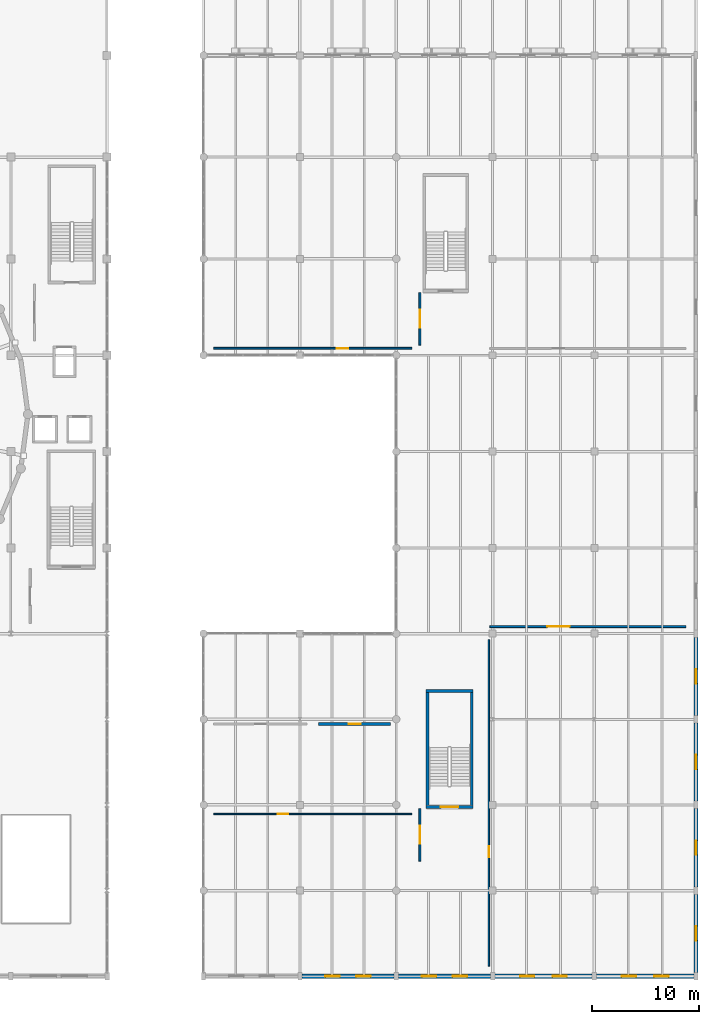
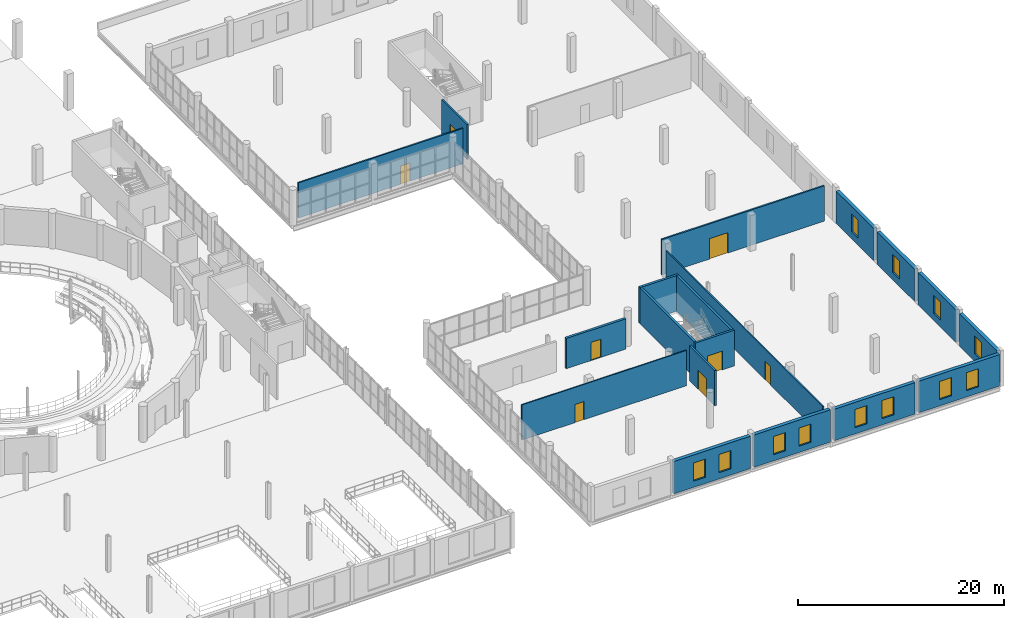
# One storey, part 68 of 85: 19 walls, 12 windows, 8 doors, 20 openings.
"""IFC4 building model written with IfcOpenShell, lengths in metres."""

from ifc_helpers import new_model, si_unit, direction, frame, frame_2d, origin, place, context, subcontext, project, spatial, rectangle, extrude, material, layer, layer_set, type_object, element, fill, save


model = new_model("IFC4")

# Units and contexts
model_context = context("Model", 3, precision=1e-05, world=origin(), true_north=direction((0.0, 1.0)))
body_context = subcontext(model_context, "Body", "Model", "MODEL_VIEW")
ifc_project = project(units=[si_unit("LENGTHUNIT", "METRE"), si_unit("AREAUNIT", "SQUARE_METRE"), si_unit("VOLUMEUNIT", "CUBIC_METRE"), si_unit("PLANEANGLEUNIT", "RADIAN"), si_unit("MASSUNIT", "GRAM", prefix="KILO")], contexts=[model_context])

# Site, building, storey
site_placement = place(None, origin())
site = spatial("IfcSite", under=ifc_project, at=site_placement, CompositionType="ELEMENT")
building_placement = place(site_placement, origin())
building = spatial("IfcBuilding", under=site, at=building_placement, Name="Marnock Terrace Opera House", CompositionType="ELEMENT")
storey_placement = place(building_placement, frame((0.0, 0.0, 10.199951171875)))
storey = spatial("IfcBuildingStorey", under=building, at=storey_placement, Name="L02", CompositionType="ELEMENT", Elevation=10.199951171875)

# Wall, openings, windows
ifc_material_1 = material(Name="Basket Range sandstone ashlar masonry", Category="masonry")
ifc_layer_1 = layer(ifc_material_1, 0.389892578125)
ifc_layer_set_1 = layer_set([ifc_layer_1], Name="Basket Range sandstone ashlar masonry")
wall_type_1 = type_object("IfcWallType", Name="EW-ASHLAR-390", PredefinedType="SOLIDWALL", material=ifc_layer_set_1)
wall_1_placement = place(storey_placement, frame((127.196044921875, 8.0, 0.0), z_axis=(0.0, 0.0, 1.0), x_axis=(1.0, 0.0, 0.0)))
wall_1 = element("IfcWall", 1, at=wall_1_placement, inside=storey, type_object=wall_type_1, Name="L02 Volume 5 south sandstone facade 2", PredefinedType="SOLIDWALL", context=body_context, shape_type="SweptSolid", body=[
    extrude(rectangle(XDim=8.60791015625, YDim=0.389892578125, at=frame_2d((4.303955078125, 0.0))), origin(), (0.0, 0.0, 1.0), 3.8515625),
])
opening_1_placement = place(wall_1_placement, frame((2.1943359375, 0.0, 0.75)))
opening_1 = element("IfcOpeningElement", 2, at=opening_1_placement, cuts=wall_1, Name="Opening WT-102", PredefinedType="OPENING", context=body_context, shape_type="SweptSolid", body=[
    extrude(rectangle(XDim=1.35009765625, YDim=2.14990234375, at=frame_2d((0.675048828125, 1.074951171875))), frame((0.0, 0.204833984375, 0.0), z_axis=(0.0, -1.0, 0.0), x_axis=(1.0, 0.0, 0.0)), (0.0, 0.0, 1.0), 0.409912109375),
])
opening_2_placement = place(wall_1_placement, frame((5.063720703125, 0.0, 0.75)))
opening_2 = element("IfcOpeningElement", 3, at=opening_2_placement, cuts=wall_1, Name="Opening WT-102", PredefinedType="OPENING", context=body_context, shape_type="SweptSolid", body=[
    extrude(rectangle(XDim=1.35009765625, YDim=2.14990234375, at=frame_2d((0.675048828125, 1.074951171875))), frame((0.0, 0.204833984375, 0.0), z_axis=(0.0, -1.0, 0.0), x_axis=(1.0, 0.0, 0.0)), (0.0, 0.0, 1.0), 0.409912109375),
])
ifc_material_2 = material(Name="Double-glazed acoustic low-E laminated glass", Category="glass")
window_type = type_object("IfcWindowType", Name="WT-SUITE-1350", PartitioningType="SINGLE_PANEL", PredefinedType="WINDOW", material=ifc_material_2)
window_1_placement = place(opening_1_placement, origin())
window_1 = element("IfcWindow", 4, at=window_1_placement, inside=storey, type_object=window_type, Name="L02 facade window EW-V5S-L02-2.1", OverallHeight=2.14990234375, OverallWidth=1.35009765625, PartitioningType="SINGLE_PANEL", PredefinedType="WINDOW", context=body_context, shape_type="SweptSolid", body=[
    extrude(rectangle(XDim=1.35009765625, YDim=2.14990234375, at=frame_2d((0.675048828125, 1.074951171875))), frame((0.0, 0.030029296875, 0.0), z_axis=(0.0, -1.0, 0.0), x_axis=(1.0, 0.0, 0.0)), (0.0, 0.0, 1.0), 0.06005859375),
])
fill(opening_1, window_1)
window_2_placement = place(opening_2_placement, origin())
window_2 = element("IfcWindow", 5, at=window_2_placement, inside=storey, type_object=window_type, Name="L02 facade window EW-V5S-L02-2.2", OverallHeight=2.14990234375, OverallWidth=1.35009765625, PartitioningType="SINGLE_PANEL", PredefinedType="WINDOW", context=body_context, shape_type="SweptSolid", body=[
    extrude(rectangle(XDim=1.35009765625, YDim=2.14990234375, at=frame_2d((0.675048828125, 1.074951171875))), frame((0.0, 0.030029296875, 0.0), z_axis=(0.0, -1.0, 0.0), x_axis=(1.0, 0.0, 0.0)), (0.0, 0.0, 1.0), 0.06005859375),
])
fill(opening_2, window_2)

wall_2_placement = place(storey_placement, frame((136.196044921875, 8.0, 0.0), z_axis=(0.0, 0.0, 1.0), x_axis=(1.0, 0.0, 0.0)))
wall_2 = element("IfcWall", 6, at=wall_2_placement, inside=storey, type_object=wall_type_1, Name="L02 Volume 5 south sandstone facade 3", PredefinedType="SOLIDWALL", context=body_context, shape_type="SweptSolid", body=[
    extrude(rectangle(XDim=8.60791015625, YDim=0.389892578125, at=frame_2d((4.303955078125, 0.0))), origin(), (0.0, 0.0, 1.0), 3.8515625),
])
opening_3_placement = place(wall_2_placement, frame((2.1943359375, 0.0, 0.75)))
opening_3 = element("IfcOpeningElement", 7, at=opening_3_placement, cuts=wall_2, Name="Opening WT-102", PredefinedType="OPENING", context=body_context, shape_type="SweptSolid", body=[
    extrude(rectangle(XDim=1.35009765625, YDim=2.14990234375, at=frame_2d((0.675048828125, 1.074951171875))), frame((0.0, 0.204833984375, 0.0), z_axis=(0.0, -1.0, 0.0), x_axis=(1.0, 0.0, 0.0)), (0.0, 0.0, 1.0), 0.409912109375),
])
opening_4_placement = place(wall_2_placement, frame((5.063720703125, 0.0, 0.75)))
opening_4 = element("IfcOpeningElement", 8, at=opening_4_placement, cuts=wall_2, Name="Opening WT-102", PredefinedType="OPENING", context=body_context, shape_type="SweptSolid", body=[
    extrude(rectangle(XDim=1.35009765625, YDim=2.14990234375, at=frame_2d((0.675048828125, 1.074951171875))), frame((0.0, 0.204833984375, 0.0), z_axis=(0.0, -1.0, 0.0), x_axis=(1.0, 0.0, 0.0)), (0.0, 0.0, 1.0), 0.409912109375),
])
window_3_placement = place(opening_3_placement, origin())
window_3 = element("IfcWindow", 9, at=window_3_placement, inside=storey, type_object=window_type, Name="L02 facade window EW-V5S-L02-3.1", OverallHeight=2.14990234375, OverallWidth=1.35009765625, PartitioningType="SINGLE_PANEL", PredefinedType="WINDOW", context=body_context, shape_type="SweptSolid", body=[
    extrude(rectangle(XDim=1.35009765625, YDim=2.14990234375, at=frame_2d((0.675048828125, 1.074951171875))), frame((0.0, 0.030029296875, 0.0), z_axis=(0.0, -1.0, 0.0), x_axis=(1.0, 0.0, 0.0)), (0.0, 0.0, 1.0), 0.06005859375),
])
fill(opening_3, window_3)
window_4_placement = place(opening_4_placement, origin())
window_4 = element("IfcWindow", 10, at=window_4_placement, inside=storey, type_object=window_type, Name="L02 facade window EW-V5S-L02-3.2", OverallHeight=2.14990234375, OverallWidth=1.35009765625, PartitioningType="SINGLE_PANEL", PredefinedType="WINDOW", context=body_context, shape_type="SweptSolid", body=[
    extrude(rectangle(XDim=1.35009765625, YDim=2.14990234375, at=frame_2d((0.675048828125, 1.074951171875))), frame((0.0, 0.030029296875, 0.0), z_axis=(0.0, -1.0, 0.0), x_axis=(1.0, 0.0, 0.0)), (0.0, 0.0, 1.0), 0.06005859375),
])
fill(opening_4, window_4)

wall_3_placement = place(storey_placement, frame((145.196044921875, 8.0, 0.0), z_axis=(0.0, 0.0, 1.0), x_axis=(1.0, 0.0, 0.0)))
wall_3 = element("IfcWall", 11, at=wall_3_placement, inside=storey, type_object=wall_type_1, Name="L02 Volume 5 south sandstone facade 4", PredefinedType="SOLIDWALL", context=body_context, shape_type="SweptSolid", body=[
    extrude(rectangle(XDim=9.10791015625, YDim=0.389892578125, at=frame_2d((4.553955078125, 0.0))), origin(), (0.0, 0.0, 1.0), 3.749755859375),
])
opening_5_placement = place(wall_3_placement, frame((2.361083984375, 0.0, 0.75)))
opening_5 = element("IfcOpeningElement", 12, at=opening_5_placement, cuts=wall_3, Name="Opening WT-102", PredefinedType="OPENING", context=body_context, shape_type="SweptSolid", body=[
    extrude(rectangle(XDim=1.35009765625, YDim=2.14990234375, at=frame_2d((0.675048828125, 1.074951171875))), frame((0.0, 0.204833984375, 0.0), z_axis=(0.0, -1.0, 0.0), x_axis=(1.0, 0.0, 0.0)), (0.0, 0.0, 1.0), 0.409912109375),
])
opening_6_placement = place(wall_3_placement, frame((5.39697265625, 0.0, 0.75)))
opening_6 = element("IfcOpeningElement", 13, at=opening_6_placement, cuts=wall_3, Name="Opening WT-102", PredefinedType="OPENING", context=body_context, shape_type="SweptSolid", body=[
    extrude(rectangle(XDim=1.35009765625, YDim=2.14990234375, at=frame_2d((0.675048828125, 1.074951171875))), frame((0.0, 0.204833984375, 0.0), z_axis=(0.0, -1.0, 0.0), x_axis=(1.0, 0.0, 0.0)), (0.0, 0.0, 1.0), 0.409912109375),
])
window_5_placement = place(opening_5_placement, origin())
window_5 = element("IfcWindow", 14, at=window_5_placement, inside=storey, type_object=window_type, Name="L02 facade window EW-V5S-L02-4.1", OverallHeight=2.14990234375, OverallWidth=1.35009765625, PartitioningType="SINGLE_PANEL", PredefinedType="WINDOW", context=body_context, shape_type="SweptSolid", body=[
    extrude(rectangle(XDim=1.35009765625, YDim=2.14990234375, at=frame_2d((0.675048828125, 1.074951171875))), frame((0.0, 0.030029296875, 0.0), z_axis=(0.0, -1.0, 0.0), x_axis=(1.0, 0.0, 0.0)), (0.0, 0.0, 1.0), 0.06005859375),
])
fill(opening_5, window_5)
window_6_placement = place(opening_6_placement, origin())
window_6 = element("IfcWindow", 15, at=window_6_placement, inside=storey, type_object=window_type, Name="L02 facade window EW-V5S-L02-4.2", OverallHeight=2.14990234375, OverallWidth=1.35009765625, PartitioningType="SINGLE_PANEL", PredefinedType="WINDOW", context=body_context, shape_type="SweptSolid", body=[
    extrude(rectangle(XDim=1.35009765625, YDim=2.14990234375, at=frame_2d((0.675048828125, 1.074951171875))), frame((0.0, 0.030029296875, 0.0), z_axis=(0.0, -1.0, 0.0), x_axis=(1.0, 0.0, 0.0)), (0.0, 0.0, 1.0), 0.06005859375),
])
fill(opening_6, window_6)

wall_4_placement = place(storey_placement, frame((154.696044921875, 8.0, 0.0), z_axis=(0.0, 0.0, 1.0), x_axis=(1.0, 0.0, 0.0)))
wall_4 = element("IfcWall", 16, at=wall_4_placement, inside=storey, type_object=wall_type_1, Name="L02 Volume 5 south sandstone facade 5", PredefinedType="SOLIDWALL", context=body_context, shape_type="SweptSolid", body=[
    extrude(rectangle(XDim=9.10791015625, YDim=0.389892578125, at=frame_2d((4.553955078125, 0.0))), origin(), (0.0, 0.0, 1.0), 3.749755859375),
])
opening_7_placement = place(wall_4_placement, frame((2.361083984375, 0.0, 0.75)))
opening_7 = element("IfcOpeningElement", 17, at=opening_7_placement, cuts=wall_4, Name="Opening WT-102", PredefinedType="OPENING", context=body_context, shape_type="SweptSolid", body=[
    extrude(rectangle(XDim=1.35009765625, YDim=2.14990234375, at=frame_2d((0.675048828125, 1.074951171875))), frame((0.0, 0.204833984375, 0.0), z_axis=(0.0, -1.0, 0.0), x_axis=(1.0, 0.0, 0.0)), (0.0, 0.0, 1.0), 0.409912109375),
])
opening_8_placement = place(wall_4_placement, frame((5.39697265625, 0.0, 0.75)))
opening_8 = element("IfcOpeningElement", 18, at=opening_8_placement, cuts=wall_4, Name="Opening WT-102", PredefinedType="OPENING", context=body_context, shape_type="SweptSolid", body=[
    extrude(rectangle(XDim=1.35009765625, YDim=2.14990234375, at=frame_2d((0.675048828125, 1.074951171875))), frame((0.0, 0.204833984375, 0.0), z_axis=(0.0, -1.0, 0.0), x_axis=(1.0, 0.0, 0.0)), (0.0, 0.0, 1.0), 0.409912109375),
])
window_7_placement = place(opening_7_placement, origin())
window_7 = element("IfcWindow", 19, at=window_7_placement, inside=storey, type_object=window_type, Name="L02 facade window EW-V5S-L02-5.1", OverallHeight=2.14990234375, OverallWidth=1.35009765625, PartitioningType="SINGLE_PANEL", PredefinedType="WINDOW", context=body_context, shape_type="SweptSolid", body=[
    extrude(rectangle(XDim=1.35009765625, YDim=2.14990234375, at=frame_2d((0.675048828125, 1.074951171875))), frame((0.0, 0.030029296875, 0.0), z_axis=(0.0, -1.0, 0.0), x_axis=(1.0, 0.0, 0.0)), (0.0, 0.0, 1.0), 0.06005859375),
])
fill(opening_7, window_7)
window_8_placement = place(opening_8_placement, origin())
window_8 = element("IfcWindow", 20, at=window_8_placement, inside=storey, type_object=window_type, Name="L02 facade window EW-V5S-L02-5.2", OverallHeight=2.14990234375, OverallWidth=1.35009765625, PartitioningType="SINGLE_PANEL", PredefinedType="WINDOW", context=body_context, shape_type="SweptSolid", body=[
    extrude(rectangle(XDim=1.35009765625, YDim=2.14990234375, at=frame_2d((0.675048828125, 1.074951171875))), frame((0.0, 0.030029296875, 0.0), z_axis=(0.0, -1.0, 0.0), x_axis=(1.0, 0.0, 0.0)), (0.0, 0.0, 1.0), 0.06005859375),
])
fill(opening_8, window_8)

# Wall, opening, window
wall_5_placement = place(storey_placement, frame((164.0, 8.345947265625, 0.0), z_axis=(0.0, 0.0, 1.0), x_axis=(0.0, 1.0, 0.0)))
wall_5 = element("IfcWall", 21, at=wall_5_placement, inside=storey, type_object=wall_type_1, Name="L02 Volume 5 east sandstone facade 1", PredefinedType="SOLIDWALL", context=body_context, shape_type="SweptSolid", body=[
    extrude(rectangle(XDim=7.30810546875, YDim=0.389892578125, at=frame_2d((3.654052734375, 0.0))), origin(), (0.0, 0.0, 1.0), 3.8515625),
])
opening_9_placement = place(wall_5_placement, frame((2.97900390625, 0.0, 0.85009765625)))
opening_9 = element("IfcOpeningElement", 22, at=opening_9_placement, cuts=wall_5, Name="Opening WT-102", PredefinedType="OPENING", context=body_context, shape_type="SweptSolid", body=[
    extrude(rectangle(XDim=1.35009765625, YDim=2.14990234375, at=frame_2d((0.675048828125, 1.074951171875))), frame((0.0, 0.204833984375, 0.0), z_axis=(0.0, -1.0, 0.0), x_axis=(1.0, 0.0, 0.0)), (0.0, 0.0, 1.0), 0.409912109375),
])
window_9_placement = place(opening_9_placement, origin())
window_9 = element("IfcWindow", 23, at=window_9_placement, inside=storey, type_object=window_type, Name="L02 facade window EW-V5E-L02-01.1", OverallHeight=2.14990234375, OverallWidth=1.35009765625, PartitioningType="SINGLE_PANEL", PredefinedType="WINDOW", context=body_context, shape_type="SweptSolid", body=[
    extrude(rectangle(XDim=1.35009765625, YDim=2.14990234375, at=frame_2d((0.675048828125, 1.074951171875))), frame((0.0, 0.030029296875, 0.0), z_axis=(0.0, -1.0, 0.0), x_axis=(1.0, 0.0, 0.0)), (0.0, 0.0, 1.0), 0.06005859375),
])
fill(opening_9, window_9)

wall_6_placement = place(storey_placement, frame((164.0, 16.345947265625, 0.0), z_axis=(0.0, 0.0, 1.0), x_axis=(0.0, 1.0, 0.0)))
wall_6 = element("IfcWall", 24, at=wall_6_placement, inside=storey, type_object=wall_type_1, Name="L02 Volume 5 east sandstone facade 2", PredefinedType="SOLIDWALL", context=body_context, shape_type="SweptSolid", body=[
    extrude(rectangle(XDim=7.30810546875, YDim=0.389892578125, at=frame_2d((3.654052734375, 0.0))), origin(), (0.0, 0.0, 1.0), 3.8515625),
])
opening_10_placement = place(wall_6_placement, frame((2.97900390625, 0.0, 0.85009765625)))
opening_10 = element("IfcOpeningElement", 25, at=opening_10_placement, cuts=wall_6, Name="Opening WT-102", PredefinedType="OPENING", context=body_context, shape_type="SweptSolid", body=[
    extrude(rectangle(XDim=1.35009765625, YDim=2.14990234375, at=frame_2d((0.675048828125, 1.074951171875))), frame((0.0, 0.204833984375, 0.0), z_axis=(0.0, -1.0, 0.0), x_axis=(1.0, 0.0, 0.0)), (0.0, 0.0, 1.0), 0.409912109375),
])
window_10_placement = place(opening_10_placement, origin())
window_10 = element("IfcWindow", 26, at=window_10_placement, inside=storey, type_object=window_type, Name="L02 facade window EW-V5E-L02-02.1", OverallHeight=2.14990234375, OverallWidth=1.35009765625, PartitioningType="SINGLE_PANEL", PredefinedType="WINDOW", context=body_context, shape_type="SweptSolid", body=[
    extrude(rectangle(XDim=1.35009765625, YDim=2.14990234375, at=frame_2d((0.675048828125, 1.074951171875))), frame((0.0, 0.030029296875, 0.0), z_axis=(0.0, -1.0, 0.0), x_axis=(1.0, 0.0, 0.0)), (0.0, 0.0, 1.0), 0.06005859375),
])
fill(opening_10, window_10)

wall_7_placement = place(storey_placement, frame((164.0, 24.345947265625, 0.0), z_axis=(0.0, 0.0, 1.0), x_axis=(0.0, 1.0, 0.0)))
wall_7 = element("IfcWall", 27, at=wall_7_placement, inside=storey, type_object=wall_type_1, Name="L02 Volume 5 east sandstone facade 3", PredefinedType="SOLIDWALL", context=body_context, shape_type="SweptSolid", body=[
    extrude(rectangle(XDim=7.30810546875, YDim=0.389892578125, at=frame_2d((3.654052734375, 0.0))), origin(), (0.0, 0.0, 1.0), 3.8515625),
])
opening_11_placement = place(wall_7_placement, frame((2.97900390625, 0.0, 0.85009765625)))
opening_11 = element("IfcOpeningElement", 28, at=opening_11_placement, cuts=wall_7, Name="Opening WT-102", PredefinedType="OPENING", context=body_context, shape_type="SweptSolid", body=[
    extrude(rectangle(XDim=1.35009765625, YDim=2.14990234375, at=frame_2d((0.675048828125, 1.074951171875))), frame((0.0, 0.204833984375, 0.0), z_axis=(0.0, -1.0, 0.0), x_axis=(1.0, 0.0, 0.0)), (0.0, 0.0, 1.0), 0.409912109375),
])
window_11_placement = place(opening_11_placement, origin())
window_11 = element("IfcWindow", 29, at=window_11_placement, inside=storey, type_object=window_type, Name="L02 facade window EW-V5E-L02-03.1", OverallHeight=2.14990234375, OverallWidth=1.35009765625, PartitioningType="SINGLE_PANEL", PredefinedType="WINDOW", context=body_context, shape_type="SweptSolid", body=[
    extrude(rectangle(XDim=1.35009765625, YDim=2.14990234375, at=frame_2d((0.675048828125, 1.074951171875))), frame((0.0, 0.030029296875, 0.0), z_axis=(0.0, -1.0, 0.0), x_axis=(1.0, 0.0, 0.0)), (0.0, 0.0, 1.0), 0.06005859375),
])
fill(opening_11, window_11)

wall_8_placement = place(storey_placement, frame((164.0, 32.345947265625, 0.0), z_axis=(0.0, 0.0, 1.0), x_axis=(0.0, 1.0, 0.0)))
wall_8 = element("IfcWall", 30, at=wall_8_placement, inside=storey, type_object=wall_type_1, Name="L02 Volume 5 east sandstone facade 4", PredefinedType="SOLIDWALL", context=body_context, shape_type="SweptSolid", body=[
    extrude(rectangle(XDim=7.30810546875, YDim=0.389892578125, at=frame_2d((3.654052734375, 0.0))), origin(), (0.0, 0.0, 1.0), 3.8515625),
])
opening_12_placement = place(wall_8_placement, frame((2.97900390625, 0.0, 0.85009765625)))
opening_12 = element("IfcOpeningElement", 31, at=opening_12_placement, cuts=wall_8, Name="Opening WT-102", PredefinedType="OPENING", context=body_context, shape_type="SweptSolid", body=[
    extrude(rectangle(XDim=1.35009765625, YDim=2.14990234375, at=frame_2d((0.675048828125, 1.074951171875))), frame((0.0, 0.204833984375, 0.0), z_axis=(0.0, -1.0, 0.0), x_axis=(1.0, 0.0, 0.0)), (0.0, 0.0, 1.0), 0.409912109375),
])
window_12_placement = place(opening_12_placement, origin())
window_12 = element("IfcWindow", 32, at=window_12_placement, inside=storey, type_object=window_type, Name="L02 facade window EW-V5E-L02-04.1", OverallHeight=2.14990234375, OverallWidth=1.35009765625, PartitioningType="SINGLE_PANEL", PredefinedType="WINDOW", context=body_context, shape_type="SweptSolid", body=[
    extrude(rectangle(XDim=1.35009765625, YDim=2.14990234375, at=frame_2d((0.675048828125, 1.074951171875))), frame((0.0, 0.030029296875, 0.0), z_axis=(0.0, -1.0, 0.0), x_axis=(1.0, 0.0, 0.0)), (0.0, 0.0, 1.0), 0.06005859375),
])
fill(opening_12, window_12)

# Wall, opening, door
ifc_material_3 = material(Name="Rendered acoustic concrete blockwork", Category="masonry")
ifc_layer_2 = layer(ifc_material_3, 0.175048828125)
ifc_layer_set_2 = layer_set([ifc_layer_2], Name="Rendered acoustic concrete blockwork")
wall_type_2 = type_object("IfcWallType", Name="IW-FIRE-175", PredefinedType="PARTITIONING", material=ifc_layer_set_2)
wall_9_placement = place(storey_placement, frame((144.75, 40.64990234375, 0.0), z_axis=(0.0, 0.0, 1.0), x_axis=(1.0, 0.0, 0.0)))
wall_9 = element("IfcWall", 33, at=wall_9_placement, inside=storey, type_object=wall_type_2, Name="L02 Ballet Rehearsal Studio acoustic partition wall", PredefinedType="PARTITIONING", context=body_context, shape_type="SweptSolid", body=[
    extrude(rectangle(XDim=18.300048828125, YDim=0.175048828125, at=frame_2d((9.14990234375, 0.0))), origin(), (0.0, 0.0, 1.0), 4.18994140625),
])
opening_13_placement = place(wall_9_placement, frame((5.35498046875, 0.0, 0.0)))
opening_13 = element("IfcOpeningElement", 34, at=opening_13_placement, cuts=wall_9, Name="Opening D-L02-19", PredefinedType="OPENING", context=body_context, shape_type="SweptSolid", body=[
    extrude(rectangle(XDim=2.10009765625, YDim=2.419921875, at=frame_2d((1.050048828125, 1.2099609375))), frame((0.0, 0.097412109375, 0.0), z_axis=(0.0, -1.0, 0.0), x_axis=(1.0, 0.0, 0.0)), (0.0, 0.0, 1.0), 0.195068359375),
])
ifc_material_4 = material(Name="Solid-core Tasmanian oak acoustic door leaf")
door_type_1 = type_object("IfcDoorType", Name="DT-REHEARS-2100", OperationType="NOTDEFINED", PredefinedType="DOOR", material=ifc_material_4)
door_1_placement = place(opening_13_placement, origin())
door_1 = element("IfcDoor", 35, at=door_1_placement, inside=storey, type_object=door_type_1, Name="L02 Ballet Rehearsal Studio entrance door", OperationType="DOUBLE_DOOR_SINGLE_SWING", OverallHeight=2.419921875, OverallWidth=2.10009765625, PredefinedType="DOOR", context=body_context, shape_type="SweptSolid", body=[
    extrude(rectangle(XDim=2.10009765625, YDim=2.419921875, at=frame_2d((1.050048828125, 1.2099609375))), frame((0.0, 0.02490234375, 0.0), z_axis=(0.0, -1.0, 0.0), x_axis=(1.0, 0.0, 0.0)), (0.0, 0.0, 1.0), 0.050048828125),
])
fill(opening_13, door_1)

ifc_layer_3 = layer(ifc_material_3, 0.18505859375)
ifc_layer_set_3 = layer_set([ifc_layer_3], Name="Rendered acoustic concrete blockwork")
wall_type_3 = type_object("IfcWallType", Name="IW-FIRE-185", PredefinedType="PARTITIONING", material=ifc_layer_set_3)
wall_10_placement = place(storey_placement, frame((138.199951171875, 18.75, 0.0), z_axis=(0.0, 0.0, 1.0), x_axis=(0.0, 1.0, 0.0)))
wall_10 = element("IfcWall", 36, at=wall_10_placement, inside=storey, type_object=wall_type_3, Name="L02 C6 fire-rated lift and stair lobby wall", PredefinedType="PARTITIONING", context=body_context, shape_type="SweptSolid", body=[
    extrude(rectangle(XDim=4.89990234375, YDim=0.18505859375, at=frame_2d((2.449951171875, 0.0))), origin(), (0.0, 0.0, 1.0), 4.18994140625),
])
opening_14_placement = place(wall_10_placement, frame((1.610107421875, 0.0, 0.0)))
opening_14 = element("IfcOpeningElement", 37, at=opening_14_placement, cuts=wall_10, Name="Opening FD-C6-L02", PredefinedType="OPENING", context=body_context, shape_type="SweptSolid", body=[
    extrude(rectangle(XDim=1.679931640625, YDim=2.25, at=frame_2d((0.83984375, 1.125))), frame((0.0, 0.1025390625, 0.0), z_axis=(0.0, -1.0, 0.0), x_axis=(1.0, 0.0, 0.0)), (0.0, 0.0, 1.0), 0.205078125),
])
ifc_material_5 = material(Name="Fire-rated acoustic timber-core door assembly", Category="wood")
door_type_2 = type_object("IfcDoorType", Name="DT-LOBBY-1680", OperationType="NOTDEFINED", PredefinedType="DOOR", material=ifc_material_5)
door_2_placement = place(opening_14_placement, origin())
door_2 = element("IfcDoor", 38, at=door_2_placement, inside=storey, type_object=door_type_2, Name="L02 C6 lobby self-closing smoke door", OperationType="SINGLE_SWING_RIGHT", OverallHeight=2.25, OverallWidth=1.679931640625, PredefinedType="DOOR", context=body_context, shape_type="SweptSolid", body=[
    extrude(rectangle(XDim=1.679931640625, YDim=2.25, at=frame_2d((0.83984375, 1.125))), frame((0.0, 0.02490234375, 0.0), z_axis=(0.0, -1.0, 0.0), x_axis=(1.0, 0.0, 0.0)), (0.0, 0.0, 1.0), 0.050048828125),
])
fill(opening_14, door_2)

wall_11_placement = place(storey_placement, frame((138.199951171875, 66.949951171875, 0.0), z_axis=(0.0, 0.0, 1.0), x_axis=(0.0, 1.0, 0.0)))
wall_11 = element("IfcWall", 39, at=wall_11_placement, inside=storey, type_object=wall_type_3, Name="L02 C8 fire-rated lift and stair lobby wall", PredefinedType="PARTITIONING", context=body_context, shape_type="SweptSolid", body=[
    extrude(rectangle(XDim=4.900146484375, YDim=0.18505859375, at=frame_2d((2.4501953125, 0.0))), origin(), (0.0, 0.0, 1.0), 4.18994140625),
])
opening_15_placement = place(wall_11_placement, frame((1.610107421875, 0.0, 0.0)))
opening_15 = element("IfcOpeningElement", 40, at=opening_15_placement, cuts=wall_11, Name="Opening FD-C8-L02", PredefinedType="OPENING", context=body_context, shape_type="SweptSolid", body=[
    extrude(rectangle(XDim=1.679931640625, YDim=2.25, at=frame_2d((0.83984375, 1.125))), frame((0.0, 0.1025390625, 0.0), z_axis=(0.0, -1.0, 0.0), x_axis=(1.0, 0.0, 0.0)), (0.0, 0.0, 1.0), 0.205078125),
])
door_3_placement = place(opening_15_placement, origin())
door_3 = element("IfcDoor", 41, at=door_3_placement, inside=storey, type_object=door_type_2, Name="L02 C8 lobby self-closing smoke door", OperationType="SINGLE_SWING_RIGHT", OverallHeight=2.25, OverallWidth=1.679931640625, PredefinedType="DOOR", context=body_context, shape_type="SweptSolid", body=[
    extrude(rectangle(XDim=1.679931640625, YDim=2.25, at=frame_2d((0.83984375, 1.125))), frame((0.0, 0.02490234375, 0.0), z_axis=(0.0, -1.0, 0.0), x_axis=(1.0, 0.0, 0.0)), (0.0, 0.0, 1.0), 0.050048828125),
])
fill(opening_15, door_3)

ifc_material_6 = material(Name="Double-stud acoustic plasterboard with mineral-wool infill")
ifc_layer_4 = layer(ifc_material_6, 0.1279296875)
ifc_layer_set_4 = layer_set([ifc_layer_4], Name="Double-stud acoustic plasterboard with mineral-wool infill")
wall_type_4 = type_object("IfcWallType", Name="IW-PART-128", PredefinedType="PARTITIONING", material=ifc_layer_set_4)
wall_12_placement = place(storey_placement, frame((118.949951171875, 23.14990234375, 0.0), z_axis=(0.0, 0.0, 1.0), x_axis=(1.0, 0.0, 0.0)))
wall_12 = element("IfcWall", 42, at=wall_12_placement, inside=storey, type_object=wall_type_4, Name="L02 Orchestral and Music Library acoustic partition wall", PredefinedType="PARTITIONING", context=body_context, shape_type="SweptSolid", body=[
    extrude(rectangle(XDim=18.5, YDim=0.1279296875, at=frame_2d((9.25, 0.0))), origin(), (0.0, 0.0, 1.0), 4.18994140625),
])
opening_16_placement = place(wall_12_placement, frame((5.97509765625, 0.0, 0.0)))
opening_16 = element("IfcOpeningElement", 43, at=opening_16_placement, cuts=wall_12, Name="Opening D-L02-18", PredefinedType="OPENING", context=body_context, shape_type="SweptSolid", body=[
    extrude(rectangle(XDim=1.0, YDim=2.14990234375, at=frame_2d((0.5, 1.074951171875))), frame((0.0, 0.073974609375, 0.0), z_axis=(0.0, -1.0, 0.0), x_axis=(1.0, 0.0, 0.0)), (0.0, 0.0, 1.0), 0.14794921875),
])
door_type_3 = type_object("IfcDoorType", Name="DT-ROOM-1000", OperationType="NOTDEFINED", PredefinedType="DOOR", material=ifc_material_4)
door_4_placement = place(opening_16_placement, origin())
door_4 = element("IfcDoor", 44, at=door_4_placement, inside=storey, type_object=door_type_3, Name="L02 Orchestral and Music Library entrance door", OperationType="SINGLE_SWING_RIGHT", OverallHeight=2.14990234375, OverallWidth=1.0, PredefinedType="DOOR", context=body_context, shape_type="SweptSolid", body=[
    extrude(rectangle(XDim=1.0, YDim=2.14990234375, at=frame_2d((0.5, 1.074951171875))), frame((0.0, 0.02490234375, 0.0), z_axis=(0.0, -1.0, 0.0), x_axis=(1.0, 0.0, 0.0)), (0.0, 0.0, 1.0), 0.050048828125),
])
fill(opening_16, door_4)

ifc_layer_5 = layer(ifc_material_6, 0.137939453125)
ifc_layer_set_5 = layer_set([ifc_layer_5], Name="Double-stud acoustic plasterboard with mineral-wool infill")
wall_type_5 = type_object("IfcWallType", Name="IW-PART-138", PredefinedType="PARTITIONING", material=ifc_layer_set_5)
wall_13_placement = place(storey_placement, frame((144.64990234375, 8.949951171875, 0.0), z_axis=(0.0, 0.0, 1.0), x_axis=(0.0, 1.0, 0.0)))
wall_13 = element("IfcWall", 45, at=wall_13_placement, inside=storey, type_object=wall_type_5, Name="L02 Dramaturgy Reading Room acoustic partition wall", PredefinedType="PARTITIONING", context=body_context, shape_type="SweptSolid", body=[
    extrude(rectangle(XDim=30.5, YDim=0.137939453125, at=frame_2d((15.25, 0.0))), origin(), (0.0, 0.0, 1.0), 3.608154296875),
])
opening_17_placement = place(wall_13_placement, frame((10.1650390625, 0.0, 0.0)))
opening_17 = element("IfcOpeningElement", 46, at=opening_17_placement, cuts=wall_13, Name="Opening D-L02-22", PredefinedType="OPENING", context=body_context, shape_type="SweptSolid", body=[
    extrude(rectangle(XDim=1.02001953125, YDim=2.179931640625, at=frame_2d((0.510009765625, 1.08984375))), frame((0.0, 0.078857421875, 0.0), z_axis=(0.0, -1.0, 0.0), x_axis=(1.0, 0.0, 0.0)), (0.0, 0.0, 1.0), 0.157958984375),
])
door_type_4 = type_object("IfcDoorType", Name="DT-SUITE-1020", OperationType="NOTDEFINED", PredefinedType="DOOR", material=ifc_material_4)
door_5_placement = place(opening_17_placement, origin())
door_5 = element("IfcDoor", 47, at=door_5_placement, inside=storey, type_object=door_type_4, Name="L02 Dramaturgy Reading Room entrance door", OperationType="SINGLE_SWING_LEFT", OverallHeight=2.179931640625, OverallWidth=1.02001953125, PredefinedType="DOOR", context=body_context, shape_type="SweptSolid", body=[
    extrude(rectangle(XDim=1.02001953125, YDim=2.179931640625, at=frame_2d((0.510009765625, 1.08984375))), frame((0.0, 0.02490234375, 0.0), z_axis=(0.0, -1.0, 0.0), x_axis=(1.0, 0.0, 0.0)), (0.0, 0.0, 1.0), 0.050048828125),
])
fill(opening_17, door_5)

ifc_layer_6 = layer(ifc_material_6, 0.159912109375)
ifc_layer_set_6 = layer_set([ifc_layer_6], Name="Double-stud acoustic plasterboard with mineral-wool infill")
wall_type_6 = type_object("IfcWallType", Name="IW-PART-160", PredefinedType="PARTITIONING", material=ifc_layer_set_6)
wall_14_placement = place(storey_placement, frame((118.949951171875, 66.64990234375, 0.0), z_axis=(0.0, 0.0, 1.0), x_axis=(1.0, 0.0, 0.0)))
wall_14 = element("IfcWall", 48, at=wall_14_placement, inside=storey, type_object=wall_type_6, Name="L02 Childrens Chorus Suite and Chaperone Room acoustic partition wall", PredefinedType="PARTITIONING", context=body_context, shape_type="SweptSolid", body=[
    extrude(rectangle(XDim=18.5, YDim=0.159912109375, at=frame_2d((9.25, 0.0))), origin(), (0.0, 0.0, 1.0), 4.18994140625),
])
opening_18_placement = place(wall_14_placement, frame((11.485107421875, 0.0, 0.0)))
opening_18 = element("IfcOpeningElement", 49, at=opening_18_placement, cuts=wall_14, Name="Opening D-L02-20", PredefinedType="OPENING", context=body_context, shape_type="SweptSolid", body=[
    extrude(rectangle(XDim=1.080078125, YDim=2.179931640625, at=frame_2d((0.5400390625, 1.08984375))), frame((0.0, 0.08984375, 0.0), z_axis=(0.0, -1.0, 0.0), x_axis=(1.0, 0.0, 0.0)), (0.0, 0.0, 1.0), 0.179931640625),
])
door_type_5 = type_object("IfcDoorType", Name="DT-DRESS-1080", OperationType="NOTDEFINED", PredefinedType="DOOR", material=ifc_material_4)
door_6_placement = place(opening_18_placement, origin())
door_6 = element("IfcDoor", 50, at=door_6_placement, inside=storey, type_object=door_type_5, Name="L02 Childrens Chorus Suite and Chaperone Room entrance door", OperationType="SINGLE_SWING_LEFT", OverallHeight=2.179931640625, OverallWidth=1.080078125, PredefinedType="DOOR", context=body_context, shape_type="SweptSolid", body=[
    extrude(rectangle(XDim=1.080078125, YDim=2.179931640625, at=frame_2d((0.5400390625, 1.08984375))), frame((0.0, 0.02490234375, 0.0), z_axis=(0.0, -1.0, 0.0), x_axis=(1.0, 0.0, 0.0)), (0.0, 0.0, 1.0), 0.050048828125),
])
fill(opening_18, door_6)

ifc_material_7 = material(Name="Moisture-resistant tiled service duct framing")
ifc_layer_7 = layer(ifc_material_7, 0.264892578125)
ifc_layer_set_7 = layer_set([ifc_layer_7], Name="Moisture-resistant tiled service duct framing")
wall_type_7 = type_object("IfcWallType", Name="IW-PLUMB-265", PredefinedType="PLUMBINGWALL", material=ifc_layer_set_7)
wall_15_placement = place(storey_placement, frame((128.75, 31.550048828125, 0.0), z_axis=(0.0, 0.0, 1.0), x_axis=(1.0, 0.0, 0.0)))
wall_15 = element("IfcWall", 51, at=wall_15_placement, inside=storey, type_object=wall_type_7, Name="L02 Accessible WC L02 East acoustic partition wall", PredefinedType="PLUMBINGWALL", context=body_context, shape_type="SweptSolid", body=[
    extrude(rectangle(XDim=6.699951171875, YDim=0.264892578125, at=frame_2d((3.35009765625, 0.0))), origin(), (0.0, 0.0, 1.0), 3.60302734375),
])
opening_19_placement = place(wall_15_placement, frame((2.7900390625, 0.0, 0.0)))
opening_19 = element("IfcOpeningElement", 52, at=opening_19_placement, cuts=wall_15, Name="Opening D-L02-27", PredefinedType="OPENING", context=body_context, shape_type="SweptSolid", body=[
    extrude(rectangle(XDim=1.1201171875, YDim=2.159912109375, at=frame_2d((0.56005859375, 1.080078125))), frame((0.0, 0.142333984375, 0.0), z_axis=(0.0, -1.0, 0.0), x_axis=(1.0, 0.0, 0.0)), (0.0, 0.0, 1.0), 0.284912109375),
])
door_type_6 = type_object("IfcDoorType", Name="DT-ACCWC-1120", OperationType="NOTDEFINED", PredefinedType="DOOR", material=ifc_material_4)
door_7_placement = place(opening_19_placement, origin())
door_7 = element("IfcDoor", 53, at=door_7_placement, inside=storey, type_object=door_type_6, Name="L02 Accessible WC L02 East entrance door", OperationType="SINGLE_SWING_LEFT", OverallHeight=2.159912109375, OverallWidth=1.1201171875, PredefinedType="DOOR", context=body_context, shape_type="SweptSolid", body=[
    extrude(rectangle(XDim=1.1201171875, YDim=2.159912109375, at=frame_2d((0.56005859375, 1.080078125))), frame((0.0, 0.02490234375, 0.0), z_axis=(0.0, -1.0, 0.0), x_axis=(1.0, 0.0, 0.0)), (0.0, 0.0, 1.0), 0.050048828125),
])
fill(opening_19, door_7)

ifc_material_8 = material(Name="Concrete N40 (f'c = 40 MPa)", Category="concrete")
ifc_layer_8 = layer(ifc_material_8, 0.25)
ifc_layer_set_8 = layer_set([ifc_layer_8], Name="Concrete N40 (f'c = 40 MPa)")
wall_type_8 = type_object("IfcWallType", Name="SW-CORE-250", PredefinedType="SHEAR", material=ifc_layer_set_8)
wall_16_placement = place(storey_placement, frame((138.794921875, 23.800048828125, 0.0), z_axis=(0.0, 0.0, 1.0), x_axis=(1.0, 0.0, 0.0)))
wall_16 = element("IfcWall", 54, at=wall_16_placement, inside=storey, type_object=wall_type_8, Name="L02 Core C6 FRL 120/120/120 shear wall S", PredefinedType="SHEAR", context=body_context, shape_type="SweptSolid", body=[
    extrude(rectangle(XDim=4.3701171875, YDim=0.25, at=frame_2d((2.18505859375, 0.0))), origin(), (0.0, 0.0, 1.0), 4.239990234375),
])
opening_20_placement = place(wall_16_placement, frame((1.360107421875, 0.0, 0.0)))
opening_20 = element("IfcOpeningElement", 55, at=opening_20_placement, cuts=wall_16, Name="Opening SD-C6-L02", PredefinedType="OPENING", context=body_context, shape_type="SweptSolid", body=[
    extrude(rectangle(XDim=1.64990234375, YDim=2.219970703125, at=frame_2d((0.824951171875, 1.10986328125))), frame((0.0, 0.135009765625, 0.0), z_axis=(0.0, -1.0, 0.0), x_axis=(1.0, 0.0, 0.0)), (0.0, 0.0, 1.0), 0.27001953125),
])
door_type_7 = type_object("IfcDoorType", Name="DT-STAIR-1650", OperationType="NOTDEFINED", PredefinedType="DOOR", material=ifc_material_5)
door_8_placement = place(opening_20_placement, origin())
door_8 = element("IfcDoor", 56, at=door_8_placement, inside=storey, type_object=door_type_7, Name="L02 Stair ST-06 fire-isolated exit door", OperationType="SINGLE_SWING_LEFT", OverallHeight=2.219970703125, OverallWidth=1.64990234375, PredefinedType="DOOR", context=body_context, shape_type="SweptSolid", body=[
    extrude(rectangle(XDim=1.64990234375, YDim=2.219970703125, at=frame_2d((0.824951171875, 1.10986328125))), frame((0.0, 0.02490234375, 0.0), z_axis=(0.0, -1.0, 0.0), x_axis=(1.0, 0.0, 0.0)), (0.0, 0.0, 1.0), 0.050048828125),
])
fill(opening_20, door_8)

# Walls
wall_17_placement = place(storey_placement, frame((138.794921875, 34.639892578125, 0.0), z_axis=(0.0, 0.0, 1.0), x_axis=(1.0, 0.0, 0.0)))
element("IfcWall", 57, at=wall_17_placement, inside=storey, type_object=wall_type_8, Name="L02 Core C6 FRL 120/120/120 shear wall N", PredefinedType="SHEAR", context=body_context, shape_type="SweptSolid", body=[
    extrude(rectangle(XDim=4.3701171875, YDim=0.25, at=frame_2d((2.18505859375, 0.0))), origin(), (0.0, 0.0, 1.0), 4.239990234375),
])
for number, where, z_axis, x_axis, name in (
    (58, (138.919921875, 23.675048828125, 0.0), (0.0, 0.0, 1.0), (0.0, 1.0, 0.0), "L02 Core C6 FRL 120/120/120 shear wall W"),
    (59, (143.0400390625, 23.675048828125, 0.0), (0.0, 0.0, 1.0), (0.0, 1.0, 0.0), "L02 Core C6 FRL 120/120/120 shear wall E"),
):
    element("IfcWall", number, at=place(storey_placement, frame(where, z_axis=z_axis, x_axis=x_axis)), inside=storey, type_object=wall_type_8, Name=name, PredefinedType="SHEAR", context=body_context, shape_type="SweptSolid", body=[
        extrude(rectangle(XDim=11.08984375, YDim=0.25, at=frame_2d((5.544921875, 0.0))), origin(), (0.0, 0.0, 1.0), 4.239990234375),
    ])

save(model, "model.ifc")
